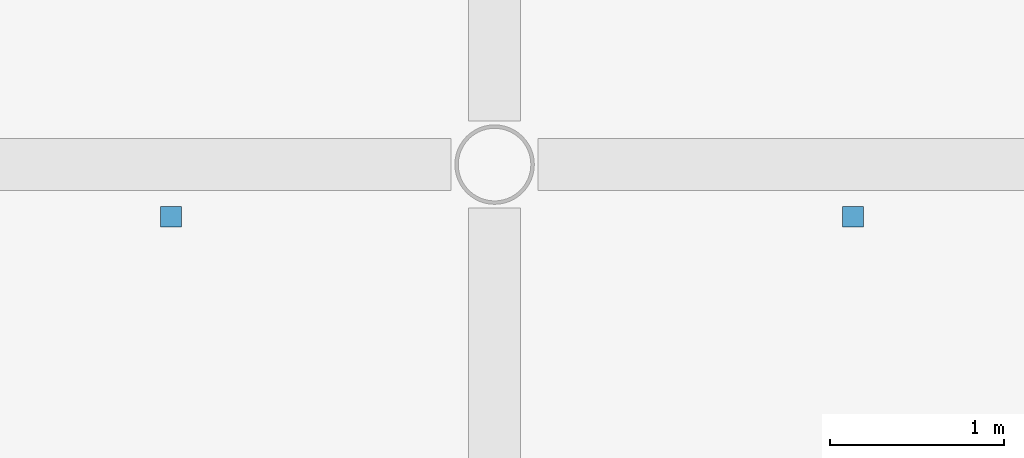
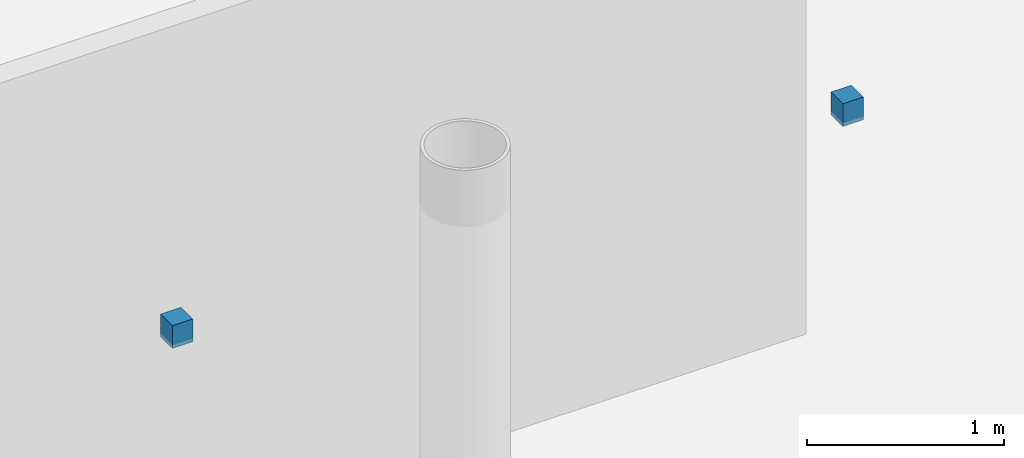
# One storey, part 65 of 81: 2 discrete accessories.
"""IFC4 building model written with IfcOpenShell, lengths in metres."""

from ifc_helpers import new_model, si_unit, direction, frame, origin, origin_2d, place, context, subcontext, project, spatial, rectangle, extrude, material, type_object, element, save


model = new_model("IFC4")

# Units and contexts
model_context = context("Model", 3, precision=1e-05, world=origin(), true_north=direction((0.0, 1.0)))
body_context = subcontext(model_context, "Body", "Model", "MODEL_VIEW")
ifc_project = project(units=[si_unit("LENGTHUNIT", "METRE"), si_unit("AREAUNIT", "SQUARE_METRE"), si_unit("VOLUMEUNIT", "CUBIC_METRE"), si_unit("PLANEANGLEUNIT", "RADIAN"), si_unit("MASSUNIT", "GRAM", prefix="KILO")], contexts=[model_context])

# Site, building, storey
site_placement = place(None, origin())
site = spatial("IfcSite", under=ifc_project, at=site_placement, CompositionType="ELEMENT")
building_placement = place(site_placement, origin())
building = spatial("IfcBuilding", under=site, at=building_placement, Name="Qandorah Velis Arena", CompositionType="ELEMENT")
storey_placement = place(building_placement, frame((0.0, 0.0, 18.60009765625)))
storey = spatial("IfcBuildingStorey", under=building, at=storey_placement, Name="L04", CompositionType="ELEMENT", Elevation=18.60009765625)

# Discrete accessories
ifc_material = material(Name="Stainless steel 316", Category="steel")
discrete_accessory_type = type_object("IfcDiscreteAccessoryType", Name="ARC-ACC-BRK", PredefinedType="BRACKET", material=ifc_material)
for number, where, z_axis, x_axis, name in (
    (1, (5.340087890625, 64.5, 4.02978515625), (0.0, 0.0, 1.0), (1.0, 0.0, 0.0), "Ceiling cloud hanger bracket HGR-06.1"),
    (2, (9.260009765625, 64.5, 4.02978515625), (0.0, 0.0, 1.0), (1.0, 0.0, 0.0), "Ceiling cloud hanger bracket HGR-06.2"),
):
    element("IfcDiscreteAccessory", number, at=place(storey_placement, frame(where, z_axis=z_axis, x_axis=x_axis)), inside=storey, type_object=discrete_accessory_type, Name=name, PredefinedType="BRACKET", context=body_context, shape_type="SweptSolid", body=[
        extrude(rectangle(XDim=0.1201171875, YDim=0.1201171875, at=origin_2d()), origin(), (0.0, 0.0, 1.0), 0.139892578125),
    ])

save(model, "model.ifc")
